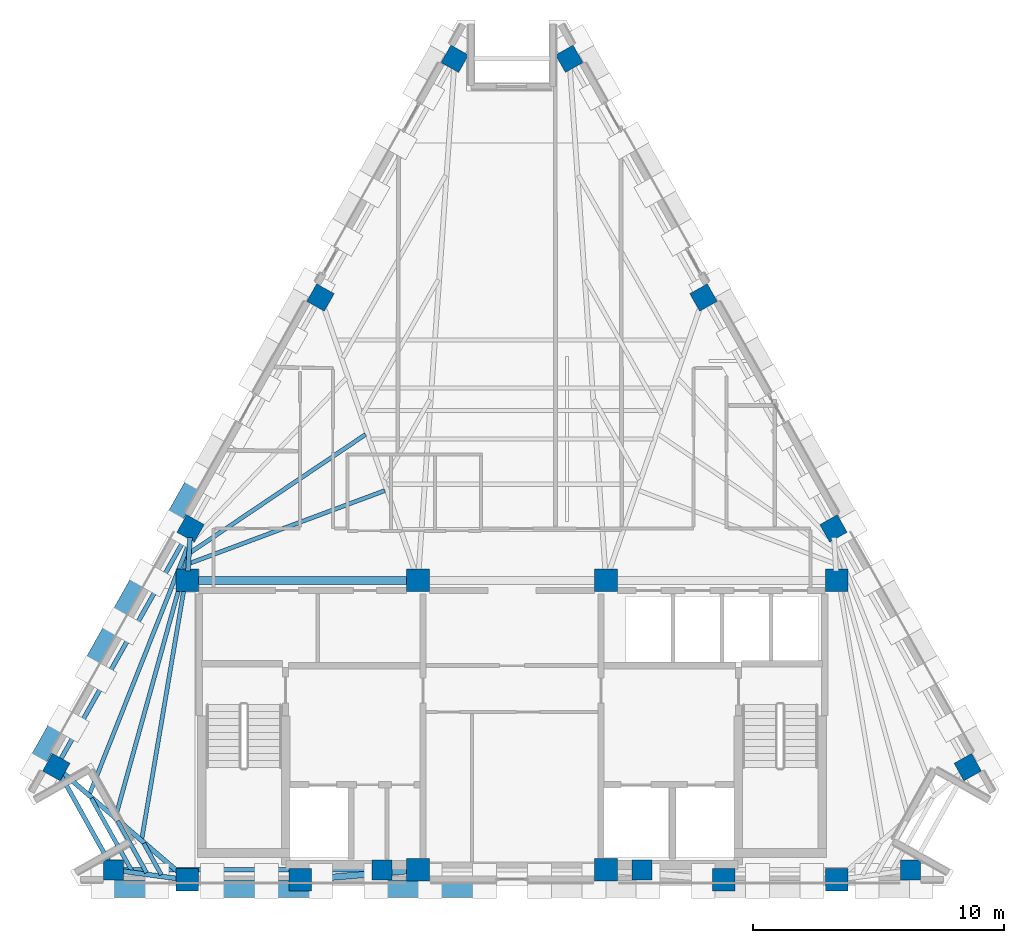
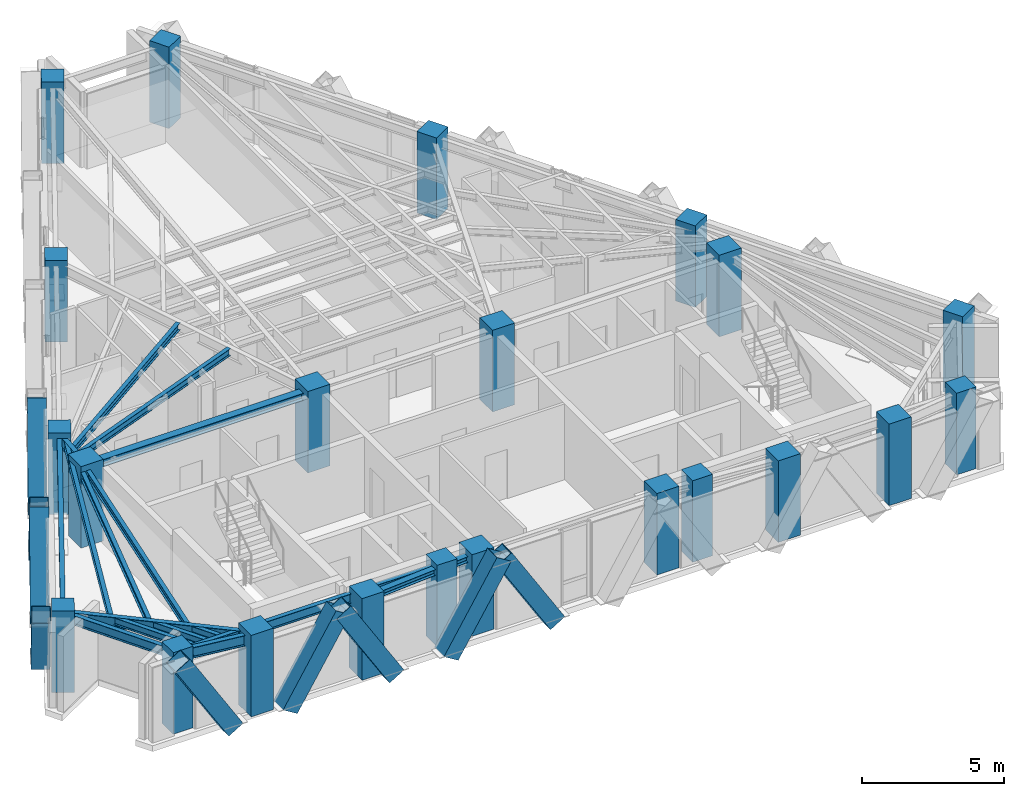
# One storey, part 1 of 9: 22 columns, 16 beams, 9 members.
"""IFC4 building model written with IfcOpenShell, lengths in metres."""

from ifc_helpers import new_model, si_unit, direction, frame, origin, origin_2d, place, context, subcontext, project, spatial, rectangle, hollow_rectangle, i_section, extrude, material, material_profile, profile_set, type_object, element, save


model = new_model("IFC4")

# Units and contexts
model_context = context("Model", 3, precision=1e-05, world=origin(), true_north=direction((0.0, 1.0)))
body_context = subcontext(model_context, "Body", "Model", "MODEL_VIEW")
ifc_project = project(units=[si_unit("LENGTHUNIT", "METRE"), si_unit("AREAUNIT", "SQUARE_METRE"), si_unit("VOLUMEUNIT", "CUBIC_METRE"), si_unit("PLANEANGLEUNIT", "RADIAN"), si_unit("MASSUNIT", "GRAM", prefix="KILO")], contexts=[model_context])

# Site, building, storey
site_placement = place(None, origin())
site = spatial("IfcSite", under=ifc_project, at=site_placement, CompositionType="ELEMENT")
building_placement = place(site_placement, origin())
building = spatial("IfcBuilding", under=site, at=building_placement, Name="Quenlor Broadcast Tower", CompositionType="ELEMENT")
storey_placement = place(building_placement, frame((0.0, 0.0, 235.89990234375)))
storey = spatial("IfcBuildingStorey", under=building, at=storey_placement, Name="L65", CompositionType="ELEMENT", Elevation=235.89990234375)

# Columns
ifc_material_1 = material(Name="Concrete C50/60", Category="concrete")
ifc_material_profile_1 = material_profile(ifc_material_1, rectangle(XDim=0.89990234375, YDim=0.89990234375, at=origin_2d()))
ifc_profile_set_1 = profile_set([ifc_material_profile_1], Name="Concrete C50/60 RC900x900")
column_type_1 = type_object("IfcColumnType", Name="Core Corner Column Upper Concrete C50/60 900", PredefinedType="COLUMN", material=ifc_profile_set_1)
for number, where, z_axis, x_axis, name in (
    (1, (-12.949951171875, -16.75, 0.0), (0.0, 0.0, 1.0), (1.0, 0.0, 0.0), "L65 Core Column CC1"),
    (2, (-8.449951171875, -16.75, 0.0), (0.0, 0.0, 1.0), (1.0, 0.0, 0.0), "L65 Core Column CC2"),
    (3, (-3.75, -16.35009765625, 0.0), (0.0, 0.0, 1.0), (1.0, 0.0, 0.0), "L65 Core Column CC3"),
    (4, (3.75, -16.35009765625, 0.0), (0.0, 0.0, 1.0), (1.0, 0.0, 0.0), "L65 Core Column CC4"),
    (5, (8.449951171875, -16.75, 0.0), (0.0, 0.0, 1.0), (1.0, 0.0, 0.0), "L65 Core Column CC5"),
    (6, (12.949951171875, -16.75, 0.0), (0.0, 0.0, 1.0), (1.0, 0.0, 0.0), "L65 Core Column CC6"),
    (7, (-12.949951171875, -4.800048828125, 0.0), (0.0, 0.0, 1.0), (1.0, 0.0, 0.0), "L65 Core Column CC7"),
    (8, (-3.75, -4.800048828125, 0.0), (0.0, 0.0, 1.0), (1.0, 0.0, 0.0), "L65 Core Column CC8"),
    (9, (3.75, -4.800048828125, 0.0), (0.0, 0.0, 1.0), (1.0, 0.0, 0.0), "L65 Core Column CC9"),
    (10, (12.949951171875, -4.800048828125, 0.0), (0.0, 0.0, 1.0), (1.0, 0.0, 0.0), "L65 Core Column CC10"),
):
    element("IfcColumn", number, at=place(storey_placement, frame(where, z_axis=z_axis, x_axis=x_axis)), inside=storey, type_object=column_type_1, Name=name, PredefinedType="COLUMN", context=body_context, shape_type="SweptSolid", body=[
        extrude(rectangle(XDim=0.89990234375, YDim=0.89990234375, at=origin_2d()), origin(), (0.0, 0.0, 1.0), 3.5),
    ])
ifc_material_2 = material(Name="Concrete C50/60", Category="concrete")
ifc_material_profile_2 = material_profile(ifc_material_2, rectangle(XDim=0.800048828125, YDim=0.800048828125, at=origin_2d()))
ifc_profile_set_2 = profile_set([ifc_material_profile_2], Name="Concrete C50/60 RC800x800")
column_type_2 = type_object("IfcColumnType", Name="Tower Perimeter Column Z5 Concrete C50/60 800", PredefinedType="COLUMN", material=ifc_profile_set_2)
for number, where, z_axis, x_axis, name in (
    (11, (-15.897705078125, -16.35009765625, 0.0), (0.0, 0.0, 1.0), (0.0, 1.0, 0.0), "L65 Perimeter Column S1"),
    (12, (-5.18408203125, -16.35009765625, 0.0), (0.0, 0.0, 1.0), (0.0, 1.0, 0.0), "L65 Perimeter Column S2"),
    (13, (5.18408203125, -16.35009765625, 0.0), (0.0, 0.0, 1.0), (0.0, 1.0, 0.0), "L65 Perimeter Column S3"),
    (14, (15.897705078125, -16.35009765625, 0.0), (0.0, 0.0, 1.0), (0.0, 1.0, 0.0), "L65 Perimeter Column S4"),
    (15, (18.182373046875, -12.25, 0.0), (0.0, 0.0, 1.0), (0.871575139605, 0.490261946333, 0.0), "L65 Perimeter Column NE1"),
    (16, (12.825439453125, -2.726806640625, 0.0), (0.0, 0.0, 1.0), (0.871575139605, 0.490261946333, 0.0), "L65 Perimeter Column NE2"),
    (17, (7.6416015625, 6.4892578125, 0.0), (0.0, 0.0, 1.0), (0.871575139605, 0.490261946333, 0.0), "L65 Perimeter Column NE3"),
    (18, (2.28466796875, 16.012451171875, 0.0), (0.0, 0.0, 1.0), (0.871575139605, 0.490261946333, 0.0), "L65 Perimeter Column NE4"),
    (19, (-2.28466796875, 16.012451171875, 0.0), (0.0, 0.0, 1.0), (-0.871575139605, 0.490261946333, 0.0), "L65 Perimeter Column NW1"),
    (20, (-7.6416015625, 6.4892578125, 0.0), (0.0, 0.0, 1.0), (-0.871575139605, 0.490261946333, 0.0), "L65 Perimeter Column NW2"),
    (21, (-12.825439453125, -2.726806640625, 0.0), (0.0, 0.0, 1.0), (-0.871575139605, 0.490261946333, 0.0), "L65 Perimeter Column NW3"),
    (22, (-18.182373046875, -12.25, 0.0), (0.0, 0.0, 1.0), (-0.871575139605, 0.490261946333, 0.0), "L65 Perimeter Column NW4"),
):
    element("IfcColumn", number, at=place(storey_placement, frame(where, z_axis=z_axis, x_axis=x_axis)), inside=storey, type_object=column_type_2, Name=name, PredefinedType="COLUMN", context=body_context, shape_type="SweptSolid", body=[
        extrude(rectangle(XDim=0.800048828125, YDim=0.800048828125, at=origin_2d()), origin(), (0.0, 0.0, 1.0), 3.5),
    ])

# Beams
ifc_material_3 = material(Name="Steel S355", Category="steel")
ifc_material_profile_3 = material_profile(ifc_material_3, i_section(OverallWidth=0.25390625, OverallDepth=0.25390625, WebThickness=0.008544921875, FlangeThickness=0.01416015625, FilletRadius=0.013916015625, at=origin_2d()))
ifc_profile_set_3 = profile_set([ifc_material_profile_3], Name="Steel S355 250UC72.9")
beam_type_1 = type_object("IfcBeamType", Name="Core Opening Lintel Beam Steel S355 250UC72.9", PredefinedType="LINTEL", material=ifc_profile_set_3)
beam_1_placement = place(storey_placement, frame((-8.09130859375, -16.719482421875, 3.123291015625), z_axis=(0.996399763903, 0.084779186679, 0.0), x_axis=(-0.084779186679, 0.996399763903, 0.0)))
element("IfcBeam", 23, at=beam_1_placement, inside=storey, type_object=beam_type_1, Name="L65 Core Opening Lintel Beam 4", PredefinedType="LINTEL", context=body_context, shape_type="SweptSolid", body=[
    extrude(i_section(OverallWidth=0.25390625, OverallDepth=0.25390625, WebThickness=0.008544921875, FlangeThickness=0.01416015625, FilletRadius=0.013916015625, at=origin_2d()), origin(), (0.0, 0.0, 1.0), 3.9970703125),
])
ifc_material_4 = material(Name="Steel S355", Category="steel")
ifc_material_profile_4 = material_profile(ifc_material_4, i_section(OverallWidth=0.306884765625, OverallDepth=0.314697265625, WebThickness=0.011962890625, FlangeThickness=0.018798828125, FilletRadius=0.0166015625, at=origin_2d()))
ifc_profile_set_4 = profile_set([ifc_material_profile_4], Name="Steel S355 310UC118")
beam_type_2 = type_object("IfcBeamType", Name="Core Tie Beam Steel S355 310UC118", PredefinedType="BEAM", material=ifc_profile_set_4)
beam_2_placement = place(storey_placement, frame((-12.590087890625, -4.800048828125, 3.0927734375), z_axis=(1.0, 0.0, 0.0), x_axis=(0.0, 1.0, 0.0)))
element("IfcBeam", 24, at=beam_2_placement, inside=storey, type_object=beam_type_2, Name="L65 Core Tie Beam 1", PredefinedType="BEAM", context=body_context, shape_type="SweptSolid", body=[
    extrude(i_section(OverallWidth=0.306884765625, OverallDepth=0.314697265625, WebThickness=0.011962890625, FlangeThickness=0.018798828125, FilletRadius=0.0166015625, at=origin_2d()), origin(), (0.0, 0.0, 1.0), 8.47998046875),
])

# Members
ifc_material_5 = material(Name="Steel S355", Category="steel")
ifc_material_profile_5 = material_profile(ifc_material_5, hollow_rectangle(XDim=0.679931640625, YDim=0.679931640625, WallThickness=0.02001953125, at=origin_2d()))
ifc_profile_set_5 = profile_set([ifc_material_profile_5], Name="Steel S355 RHS680x680x20")
member_type = type_object("IfcMemberType", Name="Perimeter Diagonal Lattice Brace Z5-Crown Steel S355 RHS680x20", PredefinedType="BRACE", material=ifc_profile_set_5)
for number, where, z_axis, x_axis, name in (
    (25, (-1.101806640625, -17.1201171875, -0.119873046875), (-0.523616565236, 0.0, 0.85195404372), (0.0, -1.0, 0.0), "L65 Perimeter Diamond Lattice S-C3S"),
    (26, (-7.6337890625, -17.1201171875, -0.119873046875), (-0.523616565236, 0.0, 0.85195404372), (0.0, -1.0, 0.0), "L65 Perimeter Diamond Lattice S-C4S"),
):
    element("IfcMember", number, at=place(storey_placement, frame(where, z_axis=z_axis, x_axis=x_axis)), inside=storey, type_object=member_type, Name=name, PredefinedType="BRACE", context=body_context, shape_type="SweptSolid", body=[
        extrude(hollow_rectangle(XDim=0.679931640625, YDim=0.679931640625, WallThickness=0.02001953125, at=origin_2d()), origin(), (0.0, 0.0, 1.0), 4.108154296875),
    ])
member_1_placement = place(storey_placement, frame((-5.430419921875, -17.1201171875, -0.119873046875), z_axis=(0.5236596973, 0.0, 0.851927532965), x_axis=(0.0, 1.0, 0.0)))
element("IfcMember", 27, at=member_1_placement, inside=storey, type_object=member_type, Name="L65 Perimeter Diamond Lattice S-C4B", PredefinedType="BRACE", context=body_context, shape_type="SweptSolid", body=[
    extrude(hollow_rectangle(XDim=0.679931640625, YDim=0.679931640625, WallThickness=0.02001953125, at=origin_2d()), origin(), (0.0, 0.0, 1.0), 4.1083984375),
])
member_2_placement = place(storey_placement, frame((-14.165771484375, -17.1201171875, -0.119873046875), z_axis=(-0.523616565236, 0.0, 0.85195404372), x_axis=(0.0, -1.0, 0.0)))
element("IfcMember", 28, at=member_2_placement, inside=storey, type_object=member_type, Name="L65 Perimeter Diamond Lattice S-C5S", PredefinedType="BRACE", context=body_context, shape_type="SweptSolid", body=[
    extrude(hollow_rectangle(XDim=0.679931640625, YDim=0.679931640625, WallThickness=0.02001953125, at=origin_2d()), origin(), (0.0, 0.0, 1.0), 4.108154296875),
])
member_3_placement = place(storey_placement, frame((-11.96240234375, -17.1201171875, -0.119873046875), z_axis=(0.5236596973, 0.0, 0.851927532965), x_axis=(0.0, 1.0, 0.0)))
element("IfcMember", 29, at=member_3_placement, inside=storey, type_object=member_type, Name="L65 Perimeter Diamond Lattice S-C5B", PredefinedType="BRACE", context=body_context, shape_type="SweptSolid", body=[
    extrude(hollow_rectangle(XDim=0.679931640625, YDim=0.679931640625, WallThickness=0.02001953125, at=origin_2d()), origin(), (0.0, 0.0, 1.0), 4.1083984375),
])
for number, where, z_axis, x_axis, name in (
    (30, (-16.892578125, -8.38623046875, -0.119873046875), (0.260618804175, 0.463276364439, 0.847025884529), (-0.8715547569, 0.490298180422, 0.0), "L65 Perimeter Diamond Lattice NW-C1S"),
    (31, (-17.99560546875, -10.34716796875, -0.119873046875), (-0.260563732169, -0.463283497491, 0.847038926161), (0.871602253711, -0.49021374045, 0.0), "L65 Perimeter Diamond Lattice NW-C1B"),
    (32, (-13.622802734375, -2.573486328125, -0.119873046875), (0.260618804175, 0.463276364439, 0.847025884529), (-0.8715547569, 0.490298180422, 0.0), "L65 Perimeter Diamond Lattice NW-C2S"),
    (33, (-14.725830078125, -4.534423828125, -0.119873046875), (-0.260563732169, -0.463283497491, 0.847038926161), (0.871602253711, -0.49021374045, 0.0), "L65 Perimeter Diamond Lattice NW-C2B"),
):
    element("IfcMember", number, at=place(storey_placement, frame(where, z_axis=z_axis, x_axis=x_axis)), inside=storey, type_object=member_type, Name=name, PredefinedType="BRACE", context=body_context, shape_type="SweptSolid", body=[
        extrude(hollow_rectangle(XDim=0.679931640625, YDim=0.679931640625, WallThickness=0.02001953125, at=origin_2d()), origin(), (0.0, 0.0, 1.0), 4.132080078125),
    ])

# Beams
ifc_material_6 = material(Name="Steel S355", Category="steel")
ifc_material_profile_6 = material_profile(ifc_material_6, i_section(OverallWidth=0.177978515625, OverallDepth=0.406494140625, WebThickness=0.0078125, FlangeThickness=0.0126953125, FilletRadius=0.011474609375, at=origin_2d()))
ifc_profile_set_6 = profile_set([ifc_material_profile_6], Name="Steel S355 410UB59.7")
beam_type_3 = type_object("IfcBeamType", Name="Perimeter Spandrel Beam Z5 Steel S355 410UB59.7", PredefinedType="SPANDREL", material=ifc_profile_set_6)
beam_3_placement = place(storey_placement, frame((-15.53759765625, -16.35009765625, 3.046875), z_axis=(1.0, 0.0, 0.0), x_axis=(0.0, 1.0, 0.0)))
element("IfcBeam", 34, at=beam_3_placement, inside=storey, type_object=beam_type_3, Name="L65 Spandrel Beam S1-S2", PredefinedType="SPANDREL", context=body_context, shape_type="SweptSolid", body=[
    extrude(i_section(OverallWidth=0.177978515625, OverallDepth=0.406494140625, WebThickness=0.0078125, FlangeThickness=0.0126953125, FilletRadius=0.011474609375, at=origin_2d()), origin(), (0.0, 0.0, 1.0), 9.99365234375),
])
beam_4_placement = place(storey_placement, frame((-13.001953125, -3.04052734375, 3.046875), z_axis=(-0.490274867878, -0.871567871096, 0.0), x_axis=(0.871567871096, -0.490274867878, 0.0)))
element("IfcBeam", 35, at=beam_4_placement, inside=storey, type_object=beam_type_3, Name="L65 Spandrel Beam NW3-NW4", PredefinedType="SPANDREL", context=body_context, shape_type="SweptSolid", body=[
    extrude(i_section(OverallWidth=0.177978515625, OverallDepth=0.406494140625, WebThickness=0.0078125, FlangeThickness=0.0126953125, FilletRadius=0.011474609375, at=origin_2d()), origin(), (0.0, 0.0, 1.0), 10.206298828125),
])
beam_5_placement = place(storey_placement, frame((-18.007080078125, -12.564453125, 3.046875), z_axis=(0.486800618374, -0.873513112638, 0.0), x_axis=(0.873513112638, 0.486800618374, 0.0)))
element("IfcBeam", 36, at=beam_5_placement, inside=storey, type_object=beam_type_3, Name="L65 Spandrel Beam NW4-S1", PredefinedType="SPANDREL", context=body_context, shape_type="SweptSolid", body=[
    extrude(i_section(OverallWidth=0.177978515625, OverallDepth=0.406494140625, WebThickness=0.0078125, FlangeThickness=0.0126953125, FilletRadius=0.011474609375, at=origin_2d()), origin(), (0.0, 0.0, 1.0), 3.9736328125),
])
ifc_material_7 = material(Name="Steel S355", Category="steel")
ifc_material_profile_7 = material_profile(ifc_material_7, i_section(OverallWidth=0.166015625, OverallDepth=0.30712890625, WebThickness=0.006591796875, FlangeThickness=0.01171875, FilletRadius=0.011474609375, at=origin_2d()))
ifc_profile_set_7 = profile_set([ifc_material_profile_7], Name="Steel S355 310UB46.2")
beam_type_4 = type_object("IfcBeamType", Name="Tower Composite Joist Z4-Z5 Steel S355 310UB46.2", PredefinedType="JOIST", material=ifc_profile_set_7)
beam_6_placement = place(storey_placement, frame((-12.835205078125, -4.108642578125, 3.096435546875), z_axis=(0.937062080226, 0.349162795559, 0.0), x_axis=(-0.349162795559, 0.937062080226, 0.0)))
element("IfcBeam", 37, at=beam_6_placement, inside=storey, type_object=beam_type_4, Name="L65 Secondary Composite Joist 7", PredefinedType="JOIST", context=body_context, shape_type="SweptSolid", body=[
    extrude(i_section(OverallWidth=0.166015625, OverallDepth=0.30712890625, WebThickness=0.006591796875, FlangeThickness=0.01171875, FilletRadius=0.011474609375, at=origin_2d()), origin(), (0.0, 0.0, 1.0), 8.286376953125),
])
beam_7_placement = place(storey_placement, frame((-12.81884765625, -3.67724609375, 3.096435546875), z_axis=(0.829286301475, 0.558823970661, 0.0), x_axis=(-0.558823970661, 0.829286301475, 0.0)))
element("IfcBeam", 38, at=beam_7_placement, inside=storey, type_object=beam_type_4, Name="L65 Secondary Composite Joist 8", PredefinedType="JOIST", context=body_context, shape_type="SweptSolid", body=[
    extrude(i_section(OverallWidth=0.166015625, OverallDepth=0.30712890625, WebThickness=0.006591796875, FlangeThickness=0.01171875, FilletRadius=0.011474609375, at=origin_2d()), origin(), (0.0, 0.0, 1.0), 8.415771484375),
])
beam_8_placement = place(storey_placement, frame((-14.76806640625, -15.09619140625, 3.096435546875), z_axis=(0.166553293246, 0.986032454085, 0.0), x_axis=(-0.986032454085, 0.166553293246, 0.0)))
element("IfcBeam", 39, at=beam_8_placement, inside=storey, type_object=beam_type_4, Name="L65 Secondary Composite Joist 13", PredefinedType="JOIST", context=body_context, shape_type="SweptSolid", body=[
    extrude(i_section(OverallWidth=0.166015625, OverallDepth=0.30712890625, WebThickness=0.006591796875, FlangeThickness=0.01171875, FilletRadius=0.011474609375, at=origin_2d()), origin(), (0.0, 0.0, 1.0), 11.097900390625),
])
beam_9_placement = place(storey_placement, frame((-15.806396484375, -14.197998046875, 3.096435546875), z_axis=(0.26744552871, 0.96357298072, 0.0), x_axis=(-0.96357298072, 0.26744552871, 0.0)))
element("IfcBeam", 40, at=beam_9_placement, inside=storey, type_object=beam_type_4, Name="L65 Secondary Composite Joist 14", PredefinedType="JOIST", context=body_context, shape_type="SweptSolid", body=[
    extrude(i_section(OverallWidth=0.166015625, OverallDepth=0.30712890625, WebThickness=0.006591796875, FlangeThickness=0.01171875, FilletRadius=0.011474609375, at=origin_2d()), origin(), (0.0, 0.0, 1.0), 10.856689453125),
])
beam_10_placement = place(storey_placement, frame((-16.8447265625, -13.300537109375, 3.096435546875), z_axis=(0.368680258049, 0.929556274426, 0.0), x_axis=(-0.929556274426, 0.368680258049, 0.0)))
element("IfcBeam", 41, at=beam_10_placement, inside=storey, type_object=beam_type_4, Name="L65 Secondary Composite Joist 15", PredefinedType="JOIST", context=body_context, shape_type="SweptSolid", body=[
    extrude(i_section(OverallWidth=0.166015625, OverallDepth=0.30712890625, WebThickness=0.006591796875, FlangeThickness=0.01171875, FilletRadius=0.011474609375, at=origin_2d()), origin(), (0.0, 0.0, 1.0), 10.737548828125),
])
beam_11_placement = place(storey_placement, frame((-13.9912109375, -16.544189453125, 3.096435546875), z_axis=(-0.486624304452, 0.873611347406, 0.0), x_axis=(-0.873611347406, -0.486624304452, 0.0)))
element("IfcBeam", 42, at=beam_11_placement, inside=storey, type_object=beam_type_4, Name="L65 Secondary Composite Joist 19", PredefinedType="JOIST", context=body_context, shape_type="SweptSolid", body=[
    extrude(i_section(OverallWidth=0.166015625, OverallDepth=0.30712890625, WebThickness=0.006591796875, FlangeThickness=0.01171875, FilletRadius=0.011474609375, at=origin_2d()), origin(), (0.0, 0.0, 1.0), 1.435791015625),
])
beam_12_placement = place(storey_placement, frame((-14.58056640625, -16.464111328125, 3.096435546875), z_axis=(-0.486820963037, 0.873501774439, 0.0), x_axis=(-0.873501774439, -0.486820963037, 0.0)))
element("IfcBeam", 43, at=beam_12_placement, inside=storey, type_object=beam_type_4, Name="L65 Secondary Composite Joist 20", PredefinedType="JOIST", context=body_context, shape_type="SweptSolid", body=[
    extrude(i_section(OverallWidth=0.166015625, OverallDepth=0.30712890625, WebThickness=0.006591796875, FlangeThickness=0.01171875, FilletRadius=0.011474609375, at=origin_2d()), origin(), (0.0, 0.0, 1.0), 2.37451171875),
])
beam_13_placement = place(storey_placement, frame((-15.170166015625, -16.384033203125, 3.096435546875), z_axis=(-0.486762404011, 0.873534408046, 0.0), x_axis=(-0.873534408046, -0.486762404011, 0.0)))
element("IfcBeam", 44, at=beam_13_placement, inside=storey, type_object=beam_type_4, Name="L65 Secondary Composite Joist 21", PredefinedType="JOIST", context=body_context, shape_type="SweptSolid", body=[
    extrude(i_section(OverallWidth=0.166015625, OverallDepth=0.30712890625, WebThickness=0.006591796875, FlangeThickness=0.01171875, FilletRadius=0.011474609375, at=origin_2d()), origin(), (0.0, 0.0, 1.0), 3.313232421875),
])
ifc_material_8 = material(Name="Steel S355", Category="steel")
ifc_material_profile_8 = material_profile(ifc_material_8, i_section(OverallWidth=0.19091796875, OverallDepth=0.46044921875, WebThickness=0.010009765625, FlangeThickness=0.01611328125, FilletRadius=0.011474609375, at=origin_2d()))
ifc_profile_set_8 = profile_set([ifc_material_profile_8], Name="Steel S355 460UB82.1")
beam_type_5 = type_object("IfcBeamType", Name="Tower Primary Floor Beam Z5 Steel S355 460UB82.1", PredefinedType="BEAM", material=ifc_profile_set_8)
beam_14_placement = place(storey_placement, frame((-15.541015625, -16.3984375, 3.02001953125), z_axis=(0.990917044125, -0.134474576267, 0.0), x_axis=(0.134474576267, 0.990917044125, 0.0)))
element("IfcBeam", 45, at=beam_14_placement, inside=storey, type_object=beam_type_5, Name="L65 Primary Radial Beam S1", PredefinedType="BEAM", context=body_context, shape_type="SweptSolid", body=[
    extrude(i_section(OverallWidth=0.19091796875, OverallDepth=0.46044921875, WebThickness=0.010009765625, FlangeThickness=0.01611328125, FilletRadius=0.011474609375, at=origin_2d()), origin(), (0.0, 0.0, 1.0), 2.23486328125),
])
beam_15_placement = place(storey_placement, frame((-12.84716796875, -3.086181640625, 3.02001953125), z_axis=(-0.059899569349, -0.998204408722, 0.0), x_axis=(0.998204408722, -0.059899569349, 0.0)))
element("IfcBeam", 46, at=beam_15_placement, inside=storey, type_object=beam_type_5, Name="L65 Primary Radial Beam NW3", PredefinedType="BEAM", context=body_context, shape_type="SweptSolid", body=[
    extrude(i_section(OverallWidth=0.19091796875, OverallDepth=0.46044921875, WebThickness=0.010009765625, FlangeThickness=0.01611328125, FilletRadius=0.011474609375, at=origin_2d()), origin(), (0.0, 0.0, 1.0), 1.3369140625),
])
beam_16_placement = place(storey_placement, frame((-17.909423828125, -12.484619140625, 3.02001953125), z_axis=(0.75817030855, -0.652056579779, 0.0), x_axis=(0.652056579779, 0.75817030855, 0.0)))
element("IfcBeam", 47, at=beam_16_placement, inside=storey, type_object=beam_type_5, Name="L65 Primary Radial Beam NW4", PredefinedType="BEAM", context=body_context, shape_type="SweptSolid", body=[
    extrude(i_section(OverallWidth=0.19091796875, OverallDepth=0.46044921875, WebThickness=0.010009765625, FlangeThickness=0.01611328125, FilletRadius=0.011474609375, at=origin_2d()), origin(), (0.0, 0.0, 1.0), 6.161376953125),
])

save(model, "model.ifc")
